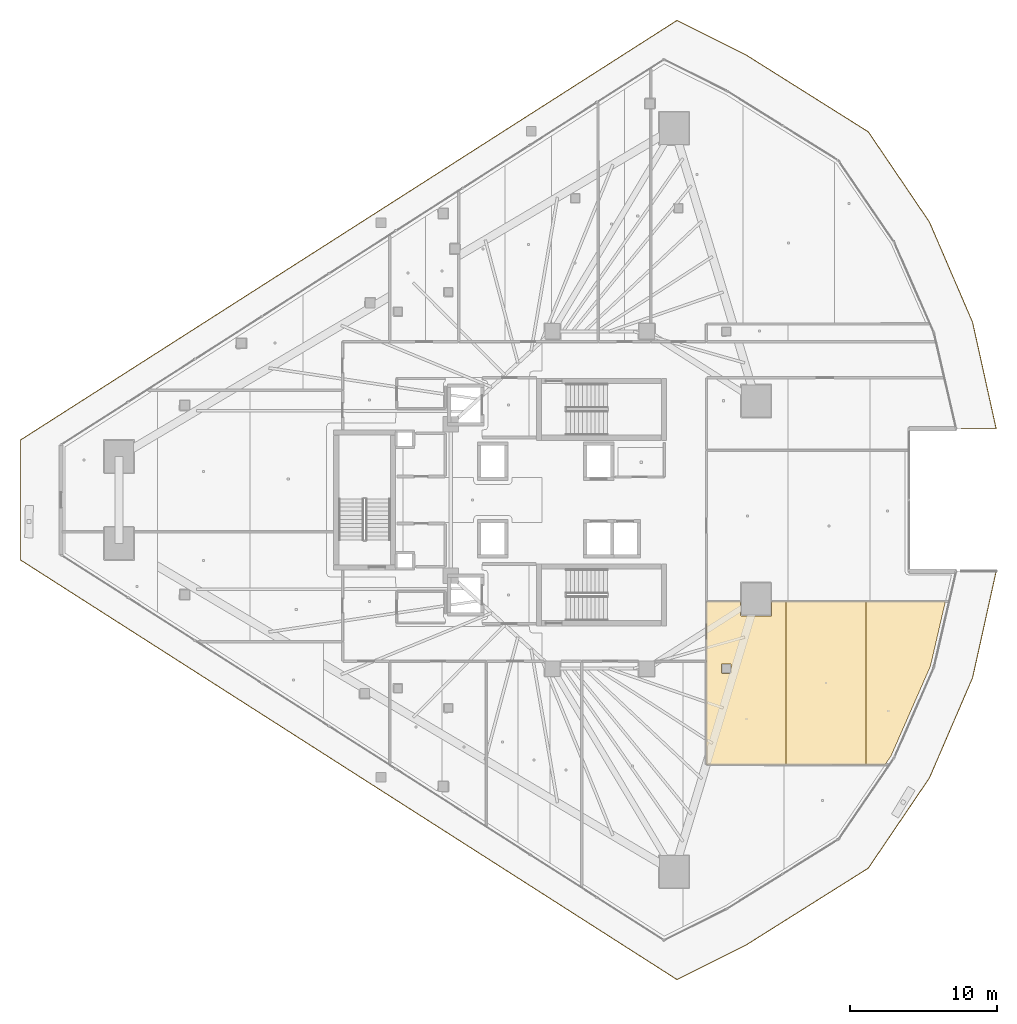
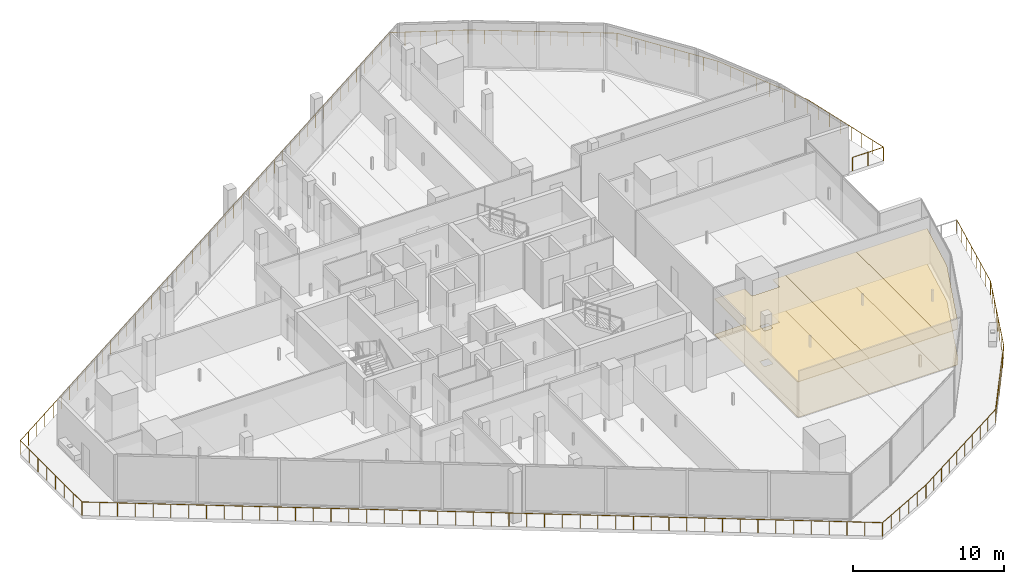
# One storey, part 35 of 38: 6 coverings, 1 railing.
"""IFC4 building model written with IfcOpenShell, lengths in metres."""

from ifc_helpers import new_model, si_unit, direction, frame, origin, origin_2d, place, context, subcontext, project, spatial, polyline, circle, outline, extrude, material, layer, layer_set, type_object, element, save


model = new_model("IFC4")

# Units and contexts
model_context = context("Model", 3, precision=1e-05, world=origin(), true_north=direction((0.0, 1.0)))
body_context = subcontext(model_context, "Body", "Model", "MODEL_VIEW")
ifc_project = project(units=[si_unit("LENGTHUNIT", "METRE"), si_unit("AREAUNIT", "SQUARE_METRE"), si_unit("VOLUMEUNIT", "CUBIC_METRE"), si_unit("PLANEANGLEUNIT", "RADIAN"), si_unit("MASSUNIT", "GRAM", prefix="KILO")], contexts=[model_context])

# Site, building, storey
site_placement = place(None, origin())
site = spatial("IfcSite", under=ifc_project, at=site_placement, CompositionType="ELEMENT")
building_placement = place(site_placement, origin())
building = spatial("IfcBuilding", under=site, at=building_placement, Name="Qorvath Tower", CompositionType="ELEMENT")
storey_placement = place(building_placement, frame((0.0, 0.0, 146.25)))
storey = spatial("IfcBuildingStorey", under=building, at=storey_placement, Name="L33", CompositionType="ELEMENT", Elevation=146.25)

# Coverings
ifc_material_1 = material(Name="Acoustic mineral fibre ceiling tile", Category="gypsum")
ifc_layer_1 = layer(ifc_material_1, 0.030029296875)
ifc_layer_set_1 = layer_set([ifc_layer_1], Name="COV-CEIL")
covering_type_1 = type_object("IfcCoveringType", Name="COV-CEIL", PredefinedType="CEILING", material=ifc_layer_set_1)
covering_1_placement = place(storey_placement, frame((0.0, 0.0, 2.85009765625)))
element("IfcCovering", 1, at=covering_1_placement, inside=storey, type_object=covering_type_1, Name="L33 Suspended Acoustic Ceiling 029", PredefinedType="CEILING", context=body_context, shape_type="SweptSolid", body=[
    extrude(outline(polyline([(-13.136962890625, -17.95458984375), (-7.728759765625, -17.9619140625), (-7.728759765625, -6.90185546875), (-8.710205078125, -6.90185546875), (-8.727783203125, -7.86376953125), (-10.770263671875, -7.88134765625), (-10.830322265625, -7.8212890625), (-10.830322265625, -6.90185546875), (-13.136962890625, -6.90185546875), (-13.136962890625, -17.95458984375)]), holes=[polyline([(-12.135009765625, -11.72509765625), (-12.117431640625, -11.132568359375), (-11.482666015625, -11.132568359375), (-11.482666015625, -11.767333984375), (-12.074951171875, -11.784912109375), (-12.135009765625, -11.72509765625)])]), origin(), (0.0, 0.0, 1.0), 0.030029296875),
])
covering_2_placement = place(storey_placement, frame((0.0, 0.0, 2.85009765625)))
element("IfcCovering", 2, at=covering_2_placement, inside=storey, type_object=covering_type_1, Name="L33 Suspended Acoustic Ceiling 030", PredefinedType="CEILING", context=body_context, shape_type="SweptSolid", body=[
    extrude(outline(polyline([(-7.728759765625, -6.90185546875), (-7.728759765625, -17.9619140625), (-2.320556640625, -17.968994140625), (-2.320556640625, -6.90185546875), (-7.728759765625, -6.90185546875)])), origin(), (0.0, 0.0, 1.0), 0.030029296875),
])
covering_3_placement = place(storey_placement, frame((0.0, 0.0, 2.85009765625)))
element("IfcCovering", 3, at=covering_3_placement, inside=storey, type_object=covering_type_1, Name="L33 Suspended Acoustic Ceiling 031", PredefinedType="CEILING", context=body_context, shape_type="SweptSolid", body=[
    extrude(outline(polyline([(-2.320556640625, -6.90185546875), (-2.320556640625, -17.968994140625), (-1.004150390625, -17.970947265625), (-0.60205078125, -17.382568359375), (2.072265625, -11.2880859375), (3.087646484375, -6.90185546875), (-2.320556640625, -6.90185546875)])), origin(), (0.0, 0.0, 1.0), 0.030029296875),
])
ifc_material_2 = material(Name="Low-VOC modular carpet tile", Category="textile")
ifc_layer_2 = layer(ifc_material_2, 0.014892578125)
ifc_layer_set_2 = layer_set([ifc_layer_2], Name="COV-FLOOR-CPT")
covering_type_2 = type_object("IfcCoveringType", Name="COV-FLOOR-CPT", PredefinedType="FLOORING", material=ifc_layer_set_2)
covering_4_placement = place(storey_placement, origin())
element("IfcCovering", 4, at=covering_4_placement, inside=storey, type_object=covering_type_2, Name="L33 Floor Finish 029", PredefinedType="FLOORING", context=body_context, shape_type="SweptSolid", body=[
    extrude(outline(polyline([(-13.136962890625, -17.95458984375), (-7.728759765625, -17.9619140625), (-7.728759765625, -6.90185546875), (-8.710205078125, -6.90185546875), (-8.727783203125, -7.86376953125), (-10.770263671875, -7.88134765625), (-10.830322265625, -7.8212890625), (-10.830322265625, -6.90185546875), (-13.136962890625, -6.90185546875), (-13.136962890625, -17.95458984375)]), holes=[polyline([(-12.135009765625, -11.72509765625), (-12.117431640625, -11.132568359375), (-11.482666015625, -11.132568359375), (-11.482666015625, -11.767333984375), (-12.074951171875, -11.784912109375), (-12.135009765625, -11.72509765625)])]), origin(), (0.0, 0.0, 1.0), 0.014892578125),
])
covering_5_placement = place(storey_placement, origin())
element("IfcCovering", 5, at=covering_5_placement, inside=storey, type_object=covering_type_2, Name="L33 Floor Finish 030", PredefinedType="FLOORING", context=body_context, shape_type="SweptSolid", body=[
    extrude(outline(polyline([(-7.728759765625, -6.90185546875), (-7.728759765625, -17.9619140625), (-2.320556640625, -17.968994140625), (-2.320556640625, -6.90185546875), (-7.728759765625, -6.90185546875)])), origin(), (0.0, 0.0, 1.0), 0.014892578125),
])
covering_6_placement = place(storey_placement, origin())
element("IfcCovering", 6, at=covering_6_placement, inside=storey, type_object=covering_type_2, Name="L33 Floor Finish 031", PredefinedType="FLOORING", context=body_context, shape_type="SweptSolid", body=[
    extrude(outline(polyline([(-2.320556640625, -6.90185546875), (-2.320556640625, -17.968994140625), (-1.004150390625, -17.970947265625), (-0.60205078125, -17.382568359375), (2.072265625, -11.2880859375), (3.087646484375, -6.90185546875), (-2.320556640625, -6.90185546875)])), origin(), (0.0, 0.0, 1.0), 0.014892578125),
])

# Railing
ifc_material_3 = material(Name="Laminated safety glass and stainless steel AISI 316", Category="steel")
railing_type = type_object("IfcRailingType", Name="RL-EXT-GRD", PredefinedType="GUARDRAIL", material=ifc_material_3)
railing_placement = place(storey_placement, frame((6.54345703125, -4.83837890625, 0.0)))
element("IfcRailing", 7, at=railing_placement, inside=storey, type_object=railing_type, Name="Loggia Perimeter Guardrail L33-1.1", PredefinedType="GUARDRAIL", context=body_context, shape_type="SweptSolid", body=[
    extrude(circle(Radius=0.02392578125, at=origin_2d()), frame((0.0, 0.0, 1.09619140625), z_axis=(-0.216093033499, -0.976372777618, 0.0), x_axis=(0.976372777618, -0.216093033499, 0.0)), (0.0, 0.0, 1.0), 7.4091796875),
    extrude(circle(Radius=0.02392578125, at=origin_2d()), frame((-1.60107421875, -7.234130859375, 1.09619140625), z_axis=(-0.395477654199, -0.918475598494, 0.0), x_axis=(0.918475598494, -0.395477654199, 0.0)), (0.0, 0.0, 1.0), 7.4091796875),
    extrude(circle(Radius=0.02392578125, at=origin_2d()), frame((-4.53125, -14.039306640625, 1.09619140625), z_axis=(-0.560829201616, -0.827931522902, 0.0), x_axis=(0.827931522902, -0.560829201616, 0.0)), (0.0, 0.0, 1.0), 7.4091796875),
    extrude(circle(Radius=0.02392578125, at=origin_2d()), frame((-8.6865234375, -20.173583984375, 1.09619140625), z_axis=(-0.846505421647, -0.532380100231, 0.0), x_axis=(0.532380100231, -0.846505421647, 0.0)), (0.0, 0.0, 1.0), 9.852783203125),
    extrude(circle(Radius=0.02392578125, at=origin_2d()), frame((-17.02685546875, -25.4189453125, 1.09619140625), z_axis=(-0.894417808962, -0.447232359083, 0.0), x_axis=(0.447232359083, -0.894417808962, 0.0)), (0.0, 0.0, 1.0), 5.20458984375),
    extrude(circle(Radius=0.02392578125, at=origin_2d()), frame((-21.681884765625, -27.74658203125, 1.09619140625), z_axis=(-0.84260145994, 0.538537630726, 0.0), x_axis=(-0.538537630726, -0.84260145994, 0.0)), (0.0, 0.0, 1.0), 52.943359375),
    extrude(circle(Radius=0.02392578125, at=origin_2d()), frame((-66.2919921875, 0.765380859375, 1.09619140625), z_axis=(0.0, 1.0, 0.0), x_axis=(-1.0, 0.0, 0.0)), (0.0, 0.0, 1.0), 8.14599609375),
    extrude(circle(Radius=0.02392578125, at=origin_2d()), frame((-66.2919921875, 8.911376953125, 1.09619140625), z_axis=(0.84260145994, 0.538537630726, 0.0), x_axis=(-0.538537630726, 0.84260145994, 0.0)), (0.0, 0.0, 1.0), 52.943359375),
    extrude(circle(Radius=0.02392578125, at=origin_2d()), frame((-21.681884765625, 37.42333984375, 1.09619140625), z_axis=(0.894417808962, -0.447232359083, 0.0), x_axis=(0.447232359083, 0.894417808962, 0.0)), (0.0, 0.0, 1.0), 5.20458984375),
    extrude(circle(Radius=0.02392578125, at=origin_2d()), frame((-17.02685546875, 35.095703125, 1.09619140625), z_axis=(0.846505421647, -0.532380100231, 0.0), x_axis=(0.532380100231, 0.846505421647, 0.0)), (0.0, 0.0, 1.0), 9.852783203125),
    extrude(circle(Radius=0.02392578125, at=origin_2d()), frame((-8.6865234375, 29.850341796875, 1.09619140625), z_axis=(0.560829201616, -0.827931522902, 0.0), x_axis=(0.827931522902, 0.560829201616, 0.0)), (0.0, 0.0, 1.0), 7.4091796875),
    extrude(circle(Radius=0.02392578125, at=origin_2d()), frame((-4.53125, 23.716064453125, 1.09619140625), z_axis=(0.395477654199, -0.918475598494, 0.0), x_axis=(0.918475598494, 0.395477654199, 0.0)), (0.0, 0.0, 1.0), 7.4091796875),
    extrude(circle(Radius=0.02392578125, at=origin_2d()), frame((-1.60107421875, 16.910888671875, 1.09619140625), z_axis=(0.216093033499, -0.976372777618, 0.0), x_axis=(0.976372777618, 0.216093033499, 0.0)), (0.0, 0.0, 1.0), 7.4091796875),
    extrude(circle(Radius=0.02392578125, at=origin_2d()), frame((0.0, 9.6767578125, 1.09619140625), z_axis=(-1.0, 0.0, 0.0), x_axis=(0.0, -1.0, 0.0)), (0.0, 0.0, 1.0), 2.36669921875),
    extrude(circle(Radius=0.02099609375, at=origin_2d()), origin(), (0.0, 0.0, 1.0), 1.072021484375),
    extrude(circle(Radius=0.02099609375, at=origin_2d()), frame((-0.228759765625, -1.033447265625, 0.0)), (0.0, 0.0, 1.0), 1.072021484375),
    extrude(circle(Radius=0.02099609375, at=origin_2d()), frame((-0.45751953125, -2.06689453125, 0.0)), (0.0, 0.0, 1.0), 1.072021484375),
    extrude(circle(Radius=0.02099609375, at=origin_2d()), frame((-0.686279296875, -3.100341796875, 0.0)), (0.0, 0.0, 1.0), 1.072021484375),
    extrude(circle(Radius=0.02099609375, at=origin_2d()), frame((-0.914794921875, -4.1337890625, 0.0)), (0.0, 0.0, 1.0), 1.072021484375),
    extrude(circle(Radius=0.02099609375, at=origin_2d()), frame((-1.1435546875, -5.167236328125, 0.0)), (0.0, 0.0, 1.0), 1.072021484375),
    extrude(circle(Radius=0.02099609375, at=origin_2d()), frame((-1.372314453125, -6.20068359375, 0.0)), (0.0, 0.0, 1.0), 1.072021484375),
    extrude(circle(Radius=0.02099609375, at=origin_2d()), frame((-1.60107421875, -7.234130859375, 0.0)), (0.0, 0.0, 1.0), 1.072021484375),
    extrude(circle(Radius=0.02099609375, at=origin_2d()), frame((-2.019775390625, -8.206298828125, 0.0)), (0.0, 0.0, 1.0), 1.072021484375),
    extrude(circle(Radius=0.02099609375, at=origin_2d()), frame((-2.438232421875, -9.178466796875, 0.0)), (0.0, 0.0, 1.0), 1.072021484375),
    extrude(circle(Radius=0.02099609375, at=origin_2d()), frame((-2.85693359375, -10.150634765625, 0.0)), (0.0, 0.0, 1.0), 1.072021484375),
    extrude(circle(Radius=0.02099609375, at=origin_2d()), frame((-3.275390625, -11.122802734375, 0.0)), (0.0, 0.0, 1.0), 1.072021484375),
    extrude(circle(Radius=0.02099609375, at=origin_2d()), frame((-3.694091796875, -12.094970703125, 0.0)), (0.0, 0.0, 1.0), 1.072021484375),
    extrude(circle(Radius=0.02099609375, at=origin_2d()), frame((-4.112548828125, -13.067138671875, 0.0)), (0.0, 0.0, 1.0), 1.072021484375),
    extrude(circle(Radius=0.02099609375, at=origin_2d()), frame((-4.53125, -14.039306640625, 0.0)), (0.0, 0.0, 1.0), 1.072021484375),
    extrude(circle(Radius=0.02099609375, at=origin_2d()), frame((-5.124755859375, -14.91552734375, 0.0)), (0.0, 0.0, 1.0), 1.072021484375),
    extrude(circle(Radius=0.02099609375, at=origin_2d()), frame((-5.718505859375, -15.7919921875, 0.0)), (0.0, 0.0, 1.0), 1.072021484375),
    extrude(circle(Radius=0.02099609375, at=origin_2d()), frame((-6.31201171875, -16.668212890625, 0.0)), (0.0, 0.0, 1.0), 1.072021484375),
    extrude(circle(Radius=0.02099609375, at=origin_2d()), frame((-6.90576171875, -17.544677734375, 0.0)), (0.0, 0.0, 1.0), 1.072021484375),
    extrude(circle(Radius=0.02099609375, at=origin_2d()), frame((-7.499267578125, -18.4208984375, 0.0)), (0.0, 0.0, 1.0), 1.072021484375),
    extrude(circle(Radius=0.02099609375, at=origin_2d()), frame((-8.093017578125, -19.29736328125, 0.0)), (0.0, 0.0, 1.0), 1.072021484375),
    extrude(circle(Radius=0.02099609375, at=origin_2d()), frame((-8.6865234375, -20.173583984375, 0.0)), (0.0, 0.0, 1.0), 1.072021484375),
    extrude(circle(Radius=0.02099609375, at=origin_2d()), frame((-9.61328125, -20.75634765625, 0.0)), (0.0, 0.0, 1.0), 1.072021484375),
    extrude(circle(Radius=0.02099609375, at=origin_2d()), frame((-10.5400390625, -21.339111328125, 0.0)), (0.0, 0.0, 1.0), 1.072021484375),
    extrude(circle(Radius=0.02099609375, at=origin_2d()), frame((-11.466552734375, -21.922119140625, 0.0)), (0.0, 0.0, 1.0), 1.072021484375),
    extrude(circle(Radius=0.02099609375, at=origin_2d()), frame((-12.393310546875, -22.5048828125, 0.0)), (0.0, 0.0, 1.0), 1.072021484375),
    extrude(circle(Radius=0.02099609375, at=origin_2d()), frame((-13.320068359375, -23.087646484375, 0.0)), (0.0, 0.0, 1.0), 1.072021484375),
    extrude(circle(Radius=0.02099609375, at=origin_2d()), frame((-14.246826171875, -23.67041015625, 0.0)), (0.0, 0.0, 1.0), 1.072021484375),
    extrude(circle(Radius=0.02099609375, at=origin_2d()), frame((-15.17333984375, -24.25341796875, 0.0)), (0.0, 0.0, 1.0), 1.072021484375),
    extrude(circle(Radius=0.02099609375, at=origin_2d()), frame((-16.10009765625, -24.836181640625, 0.0)), (0.0, 0.0, 1.0), 1.072021484375),
    extrude(circle(Radius=0.02099609375, at=origin_2d()), frame((-17.02685546875, -25.4189453125, 0.0)), (0.0, 0.0, 1.0), 1.072021484375),
    extrude(circle(Radius=0.02099609375, at=origin_2d()), frame((-17.957763671875, -25.884521484375, 0.0)), (0.0, 0.0, 1.0), 1.072021484375),
    extrude(circle(Radius=0.02099609375, at=origin_2d()), frame((-18.888916015625, -26.35009765625, 0.0)), (0.0, 0.0, 1.0), 1.072021484375),
    extrude(circle(Radius=0.02099609375, at=origin_2d()), frame((-19.81982421875, -26.8154296875, 0.0)), (0.0, 0.0, 1.0), 1.072021484375),
    extrude(circle(Radius=0.02099609375, at=origin_2d()), frame((-20.7509765625, -27.281005859375, 0.0)), (0.0, 0.0, 1.0), 1.072021484375),
    extrude(circle(Radius=0.02099609375, at=origin_2d()), frame((-21.681884765625, -27.74658203125, 0.0)), (0.0, 0.0, 1.0), 1.072021484375),
    extrude(circle(Radius=0.02099609375, at=origin_2d()), frame((-22.67333984375, -27.113037109375, 0.0)), (0.0, 0.0, 1.0), 1.072021484375),
    extrude(circle(Radius=0.02099609375, at=origin_2d()), frame((-23.66455078125, -26.4794921875, 0.0)), (0.0, 0.0, 1.0), 1.072021484375),
    extrude(circle(Radius=0.02099609375, at=origin_2d()), frame((-24.656005859375, -25.845703125, 0.0)), (0.0, 0.0, 1.0), 1.072021484375),
    extrude(circle(Radius=0.02099609375, at=origin_2d()), frame((-25.647216796875, -25.212158203125, 0.0)), (0.0, 0.0, 1.0), 1.072021484375),
    extrude(circle(Radius=0.02099609375, at=origin_2d()), frame((-26.638671875, -24.57861328125, 0.0)), (0.0, 0.0, 1.0), 1.072021484375),
    extrude(circle(Radius=0.02099609375, at=origin_2d()), frame((-27.6298828125, -23.945068359375, 0.0)), (0.0, 0.0, 1.0), 1.072021484375),
    extrude(circle(Radius=0.02099609375, at=origin_2d()), frame((-28.621337890625, -23.311279296875, 0.0)), (0.0, 0.0, 1.0), 1.072021484375),
    extrude(circle(Radius=0.02099609375, at=origin_2d()), frame((-29.612548828125, -22.677734375, 0.0)), (0.0, 0.0, 1.0), 1.072021484375),
    extrude(circle(Radius=0.02099609375, at=origin_2d()), frame((-30.60400390625, -22.044189453125, 0.0)), (0.0, 0.0, 1.0), 1.072021484375),
    extrude(circle(Radius=0.02099609375, at=origin_2d()), frame((-31.59521484375, -21.41064453125, 0.0)), (0.0, 0.0, 1.0), 1.072021484375),
    extrude(circle(Radius=0.02099609375, at=origin_2d()), frame((-32.586669921875, -20.777099609375, 0.0)), (0.0, 0.0, 1.0), 1.072021484375),
    extrude(circle(Radius=0.02099609375, at=origin_2d()), frame((-33.577880859375, -20.143310546875, 0.0)), (0.0, 0.0, 1.0), 1.072021484375),
    extrude(circle(Radius=0.02099609375, at=origin_2d()), frame((-34.5693359375, -19.509765625, 0.0)), (0.0, 0.0, 1.0), 1.072021484375),
    extrude(circle(Radius=0.02099609375, at=origin_2d()), frame((-35.560546875, -18.876220703125, 0.0)), (0.0, 0.0, 1.0), 1.072021484375),
    extrude(circle(Radius=0.02099609375, at=origin_2d()), frame((-36.552001953125, -18.24267578125, 0.0)), (0.0, 0.0, 1.0), 1.072021484375),
    extrude(circle(Radius=0.02099609375, at=origin_2d()), frame((-37.543212890625, -17.60888671875, 0.0)), (0.0, 0.0, 1.0), 1.072021484375),
    extrude(circle(Radius=0.02099609375, at=origin_2d()), frame((-38.53466796875, -16.975341796875, 0.0)), (0.0, 0.0, 1.0), 1.072021484375),
    extrude(circle(Radius=0.02099609375, at=origin_2d()), frame((-39.52587890625, -16.341796875, 0.0)), (0.0, 0.0, 1.0), 1.072021484375),
    extrude(circle(Radius=0.02099609375, at=origin_2d()), frame((-40.517333984375, -15.708251953125, 0.0)), (0.0, 0.0, 1.0), 1.072021484375),
    extrude(circle(Radius=0.02099609375, at=origin_2d()), frame((-41.508544921875, -15.07470703125, 0.0)), (0.0, 0.0, 1.0), 1.072021484375),
    extrude(circle(Radius=0.02099609375, at=origin_2d()), frame((-42.5, -14.44091796875, 0.0)), (0.0, 0.0, 1.0), 1.072021484375),
    extrude(circle(Radius=0.02099609375, at=origin_2d()), frame((-43.4912109375, -13.807373046875, 0.0)), (0.0, 0.0, 1.0), 1.072021484375),
    extrude(circle(Radius=0.02099609375, at=origin_2d()), frame((-44.482666015625, -13.173828125, 0.0)), (0.0, 0.0, 1.0), 1.072021484375),
    extrude(circle(Radius=0.02099609375, at=origin_2d()), frame((-45.473876953125, -12.540283203125, 0.0)), (0.0, 0.0, 1.0), 1.072021484375),
    extrude(circle(Radius=0.02099609375, at=origin_2d()), frame((-46.46533203125, -11.906494140625, 0.0)), (0.0, 0.0, 1.0), 1.072021484375),
    extrude(circle(Radius=0.02099609375, at=origin_2d()), frame((-47.45654296875, -11.27294921875, 0.0)), (0.0, 0.0, 1.0), 1.072021484375),
    extrude(circle(Radius=0.02099609375, at=origin_2d()), frame((-48.447998046875, -10.639404296875, 0.0)), (0.0, 0.0, 1.0), 1.072021484375),
    extrude(circle(Radius=0.02099609375, at=origin_2d()), frame((-49.439208984375, -10.005859375, 0.0)), (0.0, 0.0, 1.0), 1.072021484375),
    extrude(circle(Radius=0.02099609375, at=origin_2d()), frame((-50.4306640625, -9.372314453125, 0.0)), (0.0, 0.0, 1.0), 1.072021484375),
    extrude(circle(Radius=0.02099609375, at=origin_2d()), frame((-51.421875, -8.738525390625, 0.0)), (0.0, 0.0, 1.0), 1.072021484375),
    extrude(circle(Radius=0.02099609375, at=origin_2d()), frame((-52.413330078125, -8.10498046875, 0.0)), (0.0, 0.0, 1.0), 1.072021484375),
    extrude(circle(Radius=0.02099609375, at=origin_2d()), frame((-53.404541015625, -7.471435546875, 0.0)), (0.0, 0.0, 1.0), 1.072021484375),
    extrude(circle(Radius=0.02099609375, at=origin_2d()), frame((-54.39599609375, -6.837890625, 0.0)), (0.0, 0.0, 1.0), 1.072021484375),
    extrude(circle(Radius=0.02099609375, at=origin_2d()), frame((-55.38720703125, -6.2041015625, 0.0)), (0.0, 0.0, 1.0), 1.072021484375),
    extrude(circle(Radius=0.02099609375, at=origin_2d()), frame((-56.378662109375, -5.570556640625, 0.0)), (0.0, 0.0, 1.0), 1.072021484375),
    extrude(circle(Radius=0.02099609375, at=origin_2d()), frame((-57.369873046875, -4.93701171875, 0.0)), (0.0, 0.0, 1.0), 1.072021484375),
    extrude(circle(Radius=0.02099609375, at=origin_2d()), frame((-58.361328125, -4.303466796875, 0.0)), (0.0, 0.0, 1.0), 1.072021484375),
    extrude(circle(Radius=0.02099609375, at=origin_2d()), frame((-59.3525390625, -3.669921875, 0.0)), (0.0, 0.0, 1.0), 1.072021484375),
    extrude(circle(Radius=0.02099609375, at=origin_2d()), frame((-60.343994140625, -3.0361328125, 0.0)), (0.0, 0.0, 1.0), 1.072021484375),
    extrude(circle(Radius=0.02099609375, at=origin_2d()), frame((-61.335205078125, -2.402587890625, 0.0)), (0.0, 0.0, 1.0), 1.072021484375),
    extrude(circle(Radius=0.02099609375, at=origin_2d()), frame((-62.32666015625, -1.76904296875, 0.0)), (0.0, 0.0, 1.0), 1.072021484375),
    extrude(circle(Radius=0.02099609375, at=origin_2d()), frame((-63.31787109375, -1.135498046875, 0.0)), (0.0, 0.0, 1.0), 1.072021484375),
    extrude(circle(Radius=0.02099609375, at=origin_2d()), frame((-64.309326171875, -0.501708984375, 0.0)), (0.0, 0.0, 1.0), 1.072021484375),
    extrude(circle(Radius=0.02099609375, at=origin_2d()), frame((-65.300537109375, 0.1318359375, 0.0)), (0.0, 0.0, 1.0), 1.072021484375),
    extrude(circle(Radius=0.02099609375, at=origin_2d()), frame((-66.2919921875, 0.765380859375, 0.0)), (0.0, 0.0, 1.0), 1.072021484375),
    extrude(circle(Radius=0.02099609375, at=origin_2d()), frame((-66.2919921875, 1.92919921875, 0.0)), (0.0, 0.0, 1.0), 1.072021484375),
    extrude(circle(Radius=0.02099609375, at=origin_2d()), frame((-66.2919921875, 3.0927734375, 0.0)), (0.0, 0.0, 1.0), 1.072021484375),
    extrude(circle(Radius=0.02099609375, at=origin_2d()), frame((-66.2919921875, 4.256591796875, 0.0)), (0.0, 0.0, 1.0), 1.072021484375),
    extrude(circle(Radius=0.02099609375, at=origin_2d()), frame((-66.2919921875, 5.420166015625, 0.0)), (0.0, 0.0, 1.0), 1.072021484375),
    extrude(circle(Radius=0.02099609375, at=origin_2d()), frame((-66.2919921875, 6.583984375, 0.0)), (0.0, 0.0, 1.0), 1.072021484375),
    extrude(circle(Radius=0.02099609375, at=origin_2d()), frame((-66.2919921875, 7.74755859375, 0.0)), (0.0, 0.0, 1.0), 1.072021484375),
    extrude(circle(Radius=0.02099609375, at=origin_2d()), frame((-66.2919921875, 8.911376953125, 0.0)), (0.0, 0.0, 1.0), 1.072021484375),
    extrude(circle(Radius=0.02099609375, at=origin_2d()), frame((-65.300537109375, 9.544921875, 0.0)), (0.0, 0.0, 1.0), 1.072021484375),
    extrude(circle(Radius=0.02099609375, at=origin_2d()), frame((-64.309326171875, 10.178466796875, 0.0)), (0.0, 0.0, 1.0), 1.072021484375),
    extrude(circle(Radius=0.02099609375, at=origin_2d()), frame((-63.31787109375, 10.812255859375, 0.0)), (0.0, 0.0, 1.0), 1.072021484375),
    extrude(circle(Radius=0.02099609375, at=origin_2d()), frame((-62.32666015625, 11.44580078125, 0.0)), (0.0, 0.0, 1.0), 1.072021484375),
    extrude(circle(Radius=0.02099609375, at=origin_2d()), frame((-61.335205078125, 12.079345703125, 0.0)), (0.0, 0.0, 1.0), 1.072021484375),
    extrude(circle(Radius=0.02099609375, at=origin_2d()), frame((-60.343994140625, 12.712890625, 0.0)), (0.0, 0.0, 1.0), 1.072021484375),
    extrude(circle(Radius=0.02099609375, at=origin_2d()), frame((-59.3525390625, 13.3466796875, 0.0)), (0.0, 0.0, 1.0), 1.072021484375),
    extrude(circle(Radius=0.02099609375, at=origin_2d()), frame((-58.361328125, 13.980224609375, 0.0)), (0.0, 0.0, 1.0), 1.072021484375),
    extrude(circle(Radius=0.02099609375, at=origin_2d()), frame((-57.369873046875, 14.61376953125, 0.0)), (0.0, 0.0, 1.0), 1.072021484375),
    extrude(circle(Radius=0.02099609375, at=origin_2d()), frame((-56.378662109375, 15.247314453125, 0.0)), (0.0, 0.0, 1.0), 1.072021484375),
    extrude(circle(Radius=0.02099609375, at=origin_2d()), frame((-55.38720703125, 15.880859375, 0.0)), (0.0, 0.0, 1.0), 1.072021484375),
    extrude(circle(Radius=0.02099609375, at=origin_2d()), frame((-54.39599609375, 16.5146484375, 0.0)), (0.0, 0.0, 1.0), 1.072021484375),
    extrude(circle(Radius=0.02099609375, at=origin_2d()), frame((-53.404541015625, 17.148193359375, 0.0)), (0.0, 0.0, 1.0), 1.072021484375),
    extrude(circle(Radius=0.02099609375, at=origin_2d()), frame((-52.413330078125, 17.78173828125, 0.0)), (0.0, 0.0, 1.0), 1.072021484375),
    extrude(circle(Radius=0.02099609375, at=origin_2d()), frame((-51.421875, 18.415283203125, 0.0)), (0.0, 0.0, 1.0), 1.072021484375),
    extrude(circle(Radius=0.02099609375, at=origin_2d()), frame((-50.4306640625, 19.049072265625, 0.0)), (0.0, 0.0, 1.0), 1.072021484375),
    extrude(circle(Radius=0.02099609375, at=origin_2d()), frame((-49.439208984375, 19.6826171875, 0.0)), (0.0, 0.0, 1.0), 1.072021484375),
    extrude(circle(Radius=0.02099609375, at=origin_2d()), frame((-48.447998046875, 20.316162109375, 0.0)), (0.0, 0.0, 1.0), 1.072021484375),
    extrude(circle(Radius=0.02099609375, at=origin_2d()), frame((-47.45654296875, 20.94970703125, 0.0)), (0.0, 0.0, 1.0), 1.072021484375),
    extrude(circle(Radius=0.02099609375, at=origin_2d()), frame((-46.46533203125, 21.583251953125, 0.0)), (0.0, 0.0, 1.0), 1.072021484375),
    extrude(circle(Radius=0.02099609375, at=origin_2d()), frame((-45.473876953125, 22.217041015625, 0.0)), (0.0, 0.0, 1.0), 1.072021484375),
    extrude(circle(Radius=0.02099609375, at=origin_2d()), frame((-44.482666015625, 22.8505859375, 0.0)), (0.0, 0.0, 1.0), 1.072021484375),
    extrude(circle(Radius=0.02099609375, at=origin_2d()), frame((-43.4912109375, 23.484130859375, 0.0)), (0.0, 0.0, 1.0), 1.072021484375),
    extrude(circle(Radius=0.02099609375, at=origin_2d()), frame((-42.5, 24.11767578125, 0.0)), (0.0, 0.0, 1.0), 1.072021484375),
    extrude(circle(Radius=0.02099609375, at=origin_2d()), frame((-41.508544921875, 24.75146484375, 0.0)), (0.0, 0.0, 1.0), 1.072021484375),
    extrude(circle(Radius=0.02099609375, at=origin_2d()), frame((-40.517333984375, 25.385009765625, 0.0)), (0.0, 0.0, 1.0), 1.072021484375),
    extrude(circle(Radius=0.02099609375, at=origin_2d()), frame((-39.52587890625, 26.0185546875, 0.0)), (0.0, 0.0, 1.0), 1.072021484375),
    extrude(circle(Radius=0.02099609375, at=origin_2d()), frame((-38.53466796875, 26.652099609375, 0.0)), (0.0, 0.0, 1.0), 1.072021484375),
    extrude(circle(Radius=0.02099609375, at=origin_2d()), frame((-37.543212890625, 27.28564453125, 0.0)), (0.0, 0.0, 1.0), 1.072021484375),
    extrude(circle(Radius=0.02099609375, at=origin_2d()), frame((-36.552001953125, 27.91943359375, 0.0)), (0.0, 0.0, 1.0), 1.072021484375),
    extrude(circle(Radius=0.02099609375, at=origin_2d()), frame((-35.560546875, 28.552978515625, 0.0)), (0.0, 0.0, 1.0), 1.072021484375),
    extrude(circle(Radius=0.02099609375, at=origin_2d()), frame((-34.5693359375, 29.1865234375, 0.0)), (0.0, 0.0, 1.0), 1.072021484375),
    extrude(circle(Radius=0.02099609375, at=origin_2d()), frame((-33.577880859375, 29.820068359375, 0.0)), (0.0, 0.0, 1.0), 1.072021484375),
    extrude(circle(Radius=0.02099609375, at=origin_2d()), frame((-32.586669921875, 30.453857421875, 0.0)), (0.0, 0.0, 1.0), 1.072021484375),
    extrude(circle(Radius=0.02099609375, at=origin_2d()), frame((-31.59521484375, 31.08740234375, 0.0)), (0.0, 0.0, 1.0), 1.072021484375),
    extrude(circle(Radius=0.02099609375, at=origin_2d()), frame((-30.60400390625, 31.720947265625, 0.0)), (0.0, 0.0, 1.0), 1.072021484375),
    extrude(circle(Radius=0.02099609375, at=origin_2d()), frame((-29.612548828125, 32.3544921875, 0.0)), (0.0, 0.0, 1.0), 1.072021484375),
    extrude(circle(Radius=0.02099609375, at=origin_2d()), frame((-28.621337890625, 32.988037109375, 0.0)), (0.0, 0.0, 1.0), 1.072021484375),
    extrude(circle(Radius=0.02099609375, at=origin_2d()), frame((-27.6298828125, 33.621826171875, 0.0)), (0.0, 0.0, 1.0), 1.072021484375),
    extrude(circle(Radius=0.02099609375, at=origin_2d()), frame((-26.638671875, 34.25537109375, 0.0)), (0.0, 0.0, 1.0), 1.072021484375),
    extrude(circle(Radius=0.02099609375, at=origin_2d()), frame((-25.647216796875, 34.888916015625, 0.0)), (0.0, 0.0, 1.0), 1.072021484375),
    extrude(circle(Radius=0.02099609375, at=origin_2d()), frame((-24.656005859375, 35.5224609375, 0.0)), (0.0, 0.0, 1.0), 1.072021484375),
    extrude(circle(Radius=0.02099609375, at=origin_2d()), frame((-23.66455078125, 36.15625, 0.0)), (0.0, 0.0, 1.0), 1.072021484375),
    extrude(circle(Radius=0.02099609375, at=origin_2d()), frame((-22.67333984375, 36.789794921875, 0.0)), (0.0, 0.0, 1.0), 1.072021484375),
    extrude(circle(Radius=0.02099609375, at=origin_2d()), frame((-21.681884765625, 37.42333984375, 0.0)), (0.0, 0.0, 1.0), 1.072021484375),
    extrude(circle(Radius=0.02099609375, at=origin_2d()), frame((-20.7509765625, 36.957763671875, 0.0)), (0.0, 0.0, 1.0), 1.072021484375),
    extrude(circle(Radius=0.02099609375, at=origin_2d()), frame((-19.81982421875, 36.4921875, 0.0)), (0.0, 0.0, 1.0), 1.072021484375),
    extrude(circle(Radius=0.02099609375, at=origin_2d()), frame((-18.888916015625, 36.02685546875, 0.0)), (0.0, 0.0, 1.0), 1.072021484375),
    extrude(circle(Radius=0.02099609375, at=origin_2d()), frame((-17.957763671875, 35.561279296875, 0.0)), (0.0, 0.0, 1.0), 1.072021484375),
    extrude(circle(Radius=0.02099609375, at=origin_2d()), frame((-17.02685546875, 35.095703125, 0.0)), (0.0, 0.0, 1.0), 1.072021484375),
    extrude(circle(Radius=0.02099609375, at=origin_2d()), frame((-16.10009765625, 34.512939453125, 0.0)), (0.0, 0.0, 1.0), 1.072021484375),
    extrude(circle(Radius=0.02099609375, at=origin_2d()), frame((-15.17333984375, 33.93017578125, 0.0)), (0.0, 0.0, 1.0), 1.072021484375),
    extrude(circle(Radius=0.02099609375, at=origin_2d()), frame((-14.246826171875, 33.34716796875, 0.0)), (0.0, 0.0, 1.0), 1.072021484375),
    extrude(circle(Radius=0.02099609375, at=origin_2d()), frame((-13.320068359375, 32.764404296875, 0.0)), (0.0, 0.0, 1.0), 1.072021484375),
    extrude(circle(Radius=0.02099609375, at=origin_2d()), frame((-12.393310546875, 32.181640625, 0.0)), (0.0, 0.0, 1.0), 1.072021484375),
    extrude(circle(Radius=0.02099609375, at=origin_2d()), frame((-11.466552734375, 31.598876953125, 0.0)), (0.0, 0.0, 1.0), 1.072021484375),
    extrude(circle(Radius=0.02099609375, at=origin_2d()), frame((-10.5400390625, 31.015869140625, 0.0)), (0.0, 0.0, 1.0), 1.072021484375),
    extrude(circle(Radius=0.02099609375, at=origin_2d()), frame((-9.61328125, 30.43310546875, 0.0)), (0.0, 0.0, 1.0), 1.072021484375),
    extrude(circle(Radius=0.02099609375, at=origin_2d()), frame((-8.6865234375, 29.850341796875, 0.0)), (0.0, 0.0, 1.0), 1.072021484375),
    extrude(circle(Radius=0.02099609375, at=origin_2d()), frame((-8.093017578125, 28.97412109375, 0.0)), (0.0, 0.0, 1.0), 1.072021484375),
    extrude(circle(Radius=0.02099609375, at=origin_2d()), frame((-7.499267578125, 28.09765625, 0.0)), (0.0, 0.0, 1.0), 1.072021484375),
    extrude(circle(Radius=0.02099609375, at=origin_2d()), frame((-6.90576171875, 27.221435546875, 0.0)), (0.0, 0.0, 1.0), 1.072021484375),
    extrude(circle(Radius=0.02099609375, at=origin_2d()), frame((-6.31201171875, 26.344970703125, 0.0)), (0.0, 0.0, 1.0), 1.072021484375),
    extrude(circle(Radius=0.02099609375, at=origin_2d()), frame((-5.718505859375, 25.46875, 0.0)), (0.0, 0.0, 1.0), 1.072021484375),
    extrude(circle(Radius=0.02099609375, at=origin_2d()), frame((-5.124755859375, 24.59228515625, 0.0)), (0.0, 0.0, 1.0), 1.072021484375),
    extrude(circle(Radius=0.02099609375, at=origin_2d()), frame((-4.53125, 23.716064453125, 0.0)), (0.0, 0.0, 1.0), 1.072021484375),
    extrude(circle(Radius=0.02099609375, at=origin_2d()), frame((-4.112548828125, 22.743896484375, 0.0)), (0.0, 0.0, 1.0), 1.072021484375),
    extrude(circle(Radius=0.02099609375, at=origin_2d()), frame((-3.694091796875, 21.771728515625, 0.0)), (0.0, 0.0, 1.0), 1.072021484375),
    extrude(circle(Radius=0.02099609375, at=origin_2d()), frame((-3.275390625, 20.799560546875, 0.0)), (0.0, 0.0, 1.0), 1.072021484375),
    extrude(circle(Radius=0.02099609375, at=origin_2d()), frame((-2.85693359375, 19.827392578125, 0.0)), (0.0, 0.0, 1.0), 1.072021484375),
    extrude(circle(Radius=0.02099609375, at=origin_2d()), frame((-2.438232421875, 18.855224609375, 0.0)), (0.0, 0.0, 1.0), 1.072021484375),
    extrude(circle(Radius=0.02099609375, at=origin_2d()), frame((-2.019775390625, 17.883056640625, 0.0)), (0.0, 0.0, 1.0), 1.072021484375),
    extrude(circle(Radius=0.02099609375, at=origin_2d()), frame((-1.60107421875, 16.910888671875, 0.0)), (0.0, 0.0, 1.0), 1.072021484375),
    extrude(circle(Radius=0.02099609375, at=origin_2d()), frame((-1.372314453125, 15.87744140625, 0.0)), (0.0, 0.0, 1.0), 1.072021484375),
    extrude(circle(Radius=0.02099609375, at=origin_2d()), frame((-1.1435546875, 14.843994140625, 0.0)), (0.0, 0.0, 1.0), 1.072021484375),
    extrude(circle(Radius=0.02099609375, at=origin_2d()), frame((-0.914794921875, 13.810546875, 0.0)), (0.0, 0.0, 1.0), 1.072021484375),
    extrude(circle(Radius=0.02099609375, at=origin_2d()), frame((-0.686279296875, 12.777099609375, 0.0)), (0.0, 0.0, 1.0), 1.072021484375),
    extrude(circle(Radius=0.02099609375, at=origin_2d()), frame((-0.45751953125, 11.74365234375, 0.0)), (0.0, 0.0, 1.0), 1.072021484375),
    extrude(circle(Radius=0.02099609375, at=origin_2d()), frame((-0.228759765625, 10.710205078125, 0.0)), (0.0, 0.0, 1.0), 1.072021484375),
    extrude(circle(Radius=0.02099609375, at=origin_2d()), frame((0.0, 9.6767578125, 0.0)), (0.0, 0.0, 1.0), 1.072021484375),
    extrude(circle(Radius=0.02099609375, at=origin_2d()), frame((-1.183349609375, 9.6767578125, 0.0)), (0.0, 0.0, 1.0), 1.072021484375),
    extrude(circle(Radius=0.02099609375, at=origin_2d()), frame((-2.36669921875, 9.6767578125, 0.0)), (0.0, 0.0, 1.0), 1.072021484375),
])

save(model, "model.ifc")
